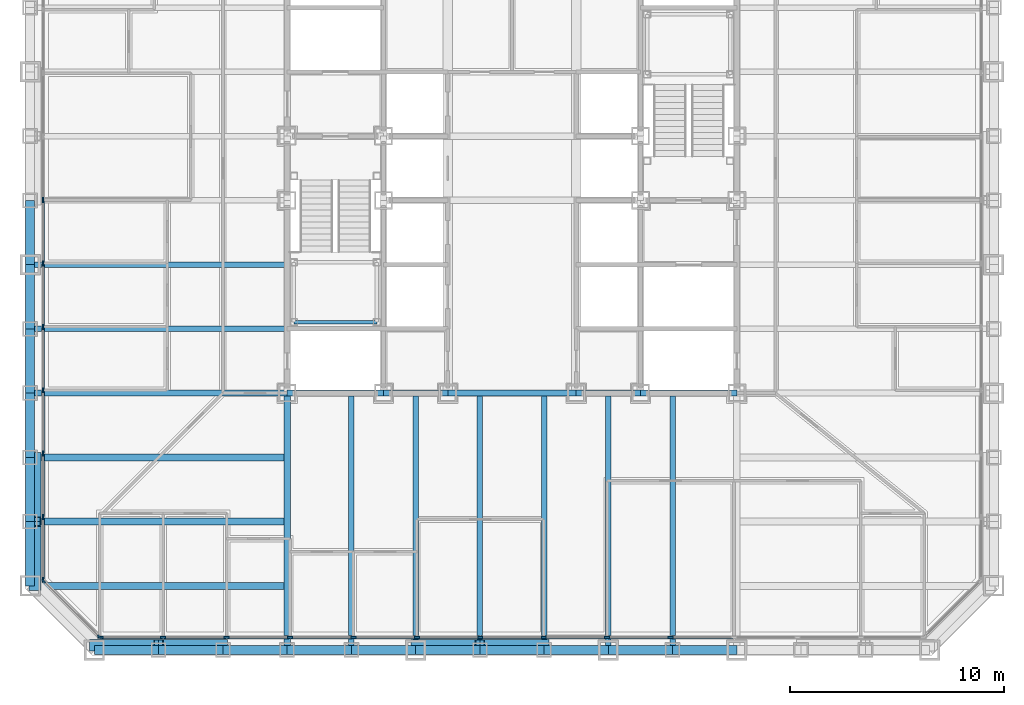
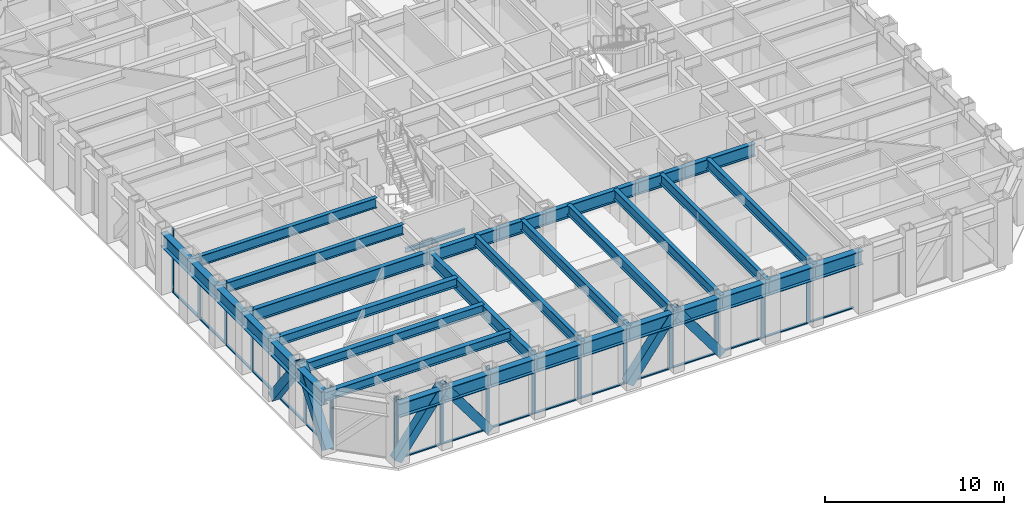
# One storey, part 2 of 17: 41 members, 35 beams, 3 elements without a shape of their own.
"""IFC4 building model written with IfcOpenShell, lengths in metres."""

import ifcopenshell
import ifcopenshell.guid

model = None  # the IFC model being written
_history = None  # IfcOwnerHistory: only IFC2X3 demands one
_inside = {}  # id of a spatial element -> (the spatial element, [elements in it])
_under = {}  # id of a project, library or spatial element -> (it, [spatial elements below it])
_declared = {}  # id of a project -> (the project, [libraries it declares])
_typed = {}  # id of a type object -> (the type object, [elements of that type])
_made_of = {}  # id of a material, layer set ... -> (it, [elements and type objects made of it])


def new_model(schema):
    """Start an empty IFC model of exactly this schema.

    Asked for "IFC4X3", IfcOpenShell would pick the latest addendum, in which some entities
    have other attributes; the version numbers below select the first issue.
    IFC2X3 requires an IfcOwnerHistory on every rooted entity: one is made here for all.
    """
    global model, _history
    if schema == "IFC4X3":
        model = ifcopenshell.file(schema_version=(4, 3, 0, 0))
    else:
        model = ifcopenshell.file(schema=schema)
    _inside.clear()
    _under.clear()
    _declared.clear()
    _typed.clear()
    _made_of.clear()
    _history = None
    if model.schema == "IFC2X3":
        org = make("IfcOrganization", Name="unknown")
        user = make(
            "IfcPersonAndOrganization",
            ThePerson=make("IfcPerson", FamilyName="unknown"),
            TheOrganization=org,
        )
        app = make(
            "IfcApplication",
            ApplicationDeveloper=org,
            Version="unknown",
            ApplicationFullName="unknown",
            ApplicationIdentifier="unknown",
        )
        _history = make(
            "IfcOwnerHistory",
            OwningUser=user,
            OwningApplication=app,
            ChangeAction="ADDED",
            CreationDate=0,
        )
    return model


def make(cls, **values):
    """One entity of the class cls with the attributes given. An attribute that is None is left unset."""
    return model.create_entity(
        cls, **{name: value for name, value in values.items() if value is not None}
    )


def rooted(cls, **values):
    """An entity with a GlobalId (a new one), such as an element, a storey or a relation."""
    return make(cls, GlobalId=ifcopenshell.guid.new(), OwnerHistory=_history, **values)


def si_unit(unit_type, name, prefix=None):
    """IfcSIUnit, for example si_unit("LENGTHUNIT", "METRE", prefix="MILLI")."""
    return make("IfcSIUnit", UnitType=unit_type, Prefix=prefix, Name=name)


def assignment(units):
    """IfcUnitAssignment: the units of a project."""
    return None if units is None else make("IfcUnitAssignment", Units=units)


def point(xyz):
    """IfcCartesianPoint."""
    return None if xyz is None else make("IfcCartesianPoint", Coordinates=xyz)


def direction(xyz):
    """IfcDirection."""
    return None if xyz is None else make("IfcDirection", DirectionRatios=xyz)


def frame(location, z_axis=None, x_axis=None):
    """IfcAxis2Placement3D, a coordinate frame: its origin and axes. An axis left out is left unset."""
    return make(
        "IfcAxis2Placement3D",
        Location=point(location),
        Axis=direction(z_axis),
        RefDirection=direction(x_axis),
    )


def frame_2d(location, x_axis=None):
    """IfcAxis2Placement2D, a coordinate frame in the plane: its origin and x axis."""
    return make(
        "IfcAxis2Placement2D", Location=point(location), RefDirection=direction(x_axis)
    )


def origin():
    """The frame at (0, 0, 0) with its axes left unset."""
    return frame((0.0, 0.0, 0.0))


def origin_2d():
    """The frame at (0, 0) in the plane with its x axis left unset."""
    return frame_2d((0.0, 0.0))


def place(relative_to, where):
    """IfcLocalPlacement: puts the frame where relative to a parent placement (None: the world)."""
    return make(
        "IfcLocalPlacement", PlacementRelTo=relative_to, RelativePlacement=where
    )


def context(
    kind, dimensions, precision=None, world=None, true_north=None, identifier=None
):
    """IfcGeometricRepresentationContext, for example the 3D "Model" context."""
    return make(
        "IfcGeometricRepresentationContext",
        ContextIdentifier=identifier,
        ContextType=kind,
        CoordinateSpaceDimension=dimensions,
        Precision=precision,
        WorldCoordinateSystem=world,
        TrueNorth=true_north,
    )


def subcontext(parent, identifier, kind, view, scale=None):
    """IfcGeometricRepresentationSubContext, for example "Body" below "Model"."""
    return make(
        "IfcGeometricRepresentationSubContext",
        ContextIdentifier=identifier,
        ContextType=kind,
        ParentContext=parent,
        TargetScale=scale,
        TargetView=view,
    )


def project(units=None, contexts=None):
    """IfcProject with its units and contexts."""
    return rooted(
        "IfcProject",
        Name="project",
        RepresentationContexts=contexts,
        UnitsInContext=assignment(units),
    )


def spatial(cls, under=None, at=None, **own):
    """A site, building, storey or space (cls), placed at a placement, below another one or the project."""
    s = rooted(cls, ObjectPlacement=at, **own)
    if under is not None:
        _under.setdefault(under.id(), (under, []))[1].append(s)
    return s


def profile(cls, at=None, kind="AREA", **sizes):
    """A parametric profile (cls). Its sizes go by their IFC names, for example OverallWidth=200.0."""
    return make(cls, ProfileType=kind, Position=at, **sizes)


def rectangle(**sizes):
    """IfcRectangleProfileDef."""
    return profile("IfcRectangleProfileDef", **sizes)


def hollow_rectangle(**sizes):
    """IfcRectangleHollowProfileDef."""
    return profile("IfcRectangleHollowProfileDef", **sizes)


def i_section(**sizes):
    """IfcIShapeProfileDef."""
    return profile("IfcIShapeProfileDef", **sizes)


def extrude(swept, where, along, depth):
    """IfcExtrudedAreaSolid: the profile swept, set in the frame where, extruded along a direction by depth."""
    return make(
        "IfcExtrudedAreaSolid",
        SweptArea=swept,
        Position=where,
        ExtrudedDirection=direction(along),
        Depth=depth,
    )


def shape(context_of_items, identifier, shape_type, items):
    """IfcShapeRepresentation: the items that make up one representation, for example the "Body"."""
    return make(
        "IfcShapeRepresentation",
        ContextOfItems=context_of_items,
        RepresentationIdentifier=identifier,
        RepresentationType=shape_type,
        Items=items,
    )


def material(Name=None, Category=None):
    """IfcMaterial."""
    return make("IfcMaterial", Name=Name, Category=Category)


def layer(
    of_material, thickness, ventilated=None, Name=None, Category=None, Priority=None
):
    """IfcMaterialLayer: one layer of a wall or slab, of a material (None: an air gap)."""
    return make(
        "IfcMaterialLayer",
        Material=of_material,
        LayerThickness=thickness,
        IsVentilated=ventilated,
        Name=Name,
        Category=Category,
        Priority=Priority,
    )


def layer_set(layers, Name=None):
    """IfcMaterialLayerSet."""
    return make("IfcMaterialLayerSet", MaterialLayers=layers, LayerSetName=Name)


def material_profile(
    of_material, cross_section, Name=None, Category=None, Priority=None
):
    """IfcMaterialProfile: a cross section and its material."""
    return make(
        "IfcMaterialProfile",
        Name=Name,
        Material=of_material,
        Profile=cross_section,
        Priority=Priority,
        Category=Category,
    )


def profile_set(profiles, Name=None, composite=None):
    """IfcMaterialProfileSet."""
    return make(
        "IfcMaterialProfileSet",
        Name=Name,
        MaterialProfiles=profiles,
        CompositeProfile=composite,
    )


def made_of(thing, what):
    """Note that an element or type object is made of a material, layer set ...; save() writes the relation."""
    if what is not None:
        _made_of.setdefault(what.id(), (what, []))[1].append(thing)
    return thing


def type_object(cls, material=None, **own):
    """A type object (cls), such as IfcWallType, which elements share."""
    return made_of(rooted(cls, **own), material)


def element(
    cls,
    number,
    at=None,
    inside=None,
    cuts=None,
    type_object=None,
    material=None,
    context=None,
    identifier="Body",
    shape_type=None,
    held_by="IfcProductDefinitionShape",
    body=None,
    shapes=None,
    **own,
):
    """One element of the class cls, such as IfcWall. Its Tag is "e" and its number.

    at: its placement. inside: the storey or other place that contains it. cuts: it is an
    opening in that element (IfcRelVoidsElement). A single representation is given by context,
    identifier, shape_type and body (its items); several are given by shapes. held_by: the class
    of the entity that holds the representations. save() writes the other relations.
    """
    e = rooted(cls, Tag="e%d" % number, ObjectPlacement=at, **own)
    if body is not None:
        shapes = [shape(context, identifier, shape_type, body)]
    if shapes is not None:
        e.Representation = make(held_by, Representations=shapes)
    if inside is not None:
        _inside.setdefault(inside.id(), (inside, []))[1].append(e)
    if cuts is not None:
        rooted(
            "IfcRelVoidsElement", RelatingBuildingElement=cuts, RelatedOpeningElement=e
        )
    if type_object is not None:
        _typed.setdefault(type_object.id(), (type_object, []))[1].append(e)
    return made_of(e, material)


def aggregate(whole, parts):
    """IfcRelAggregates: a whole, such as a stair, and the parts it consists of."""
    return rooted("IfcRelAggregates", RelatingObject=whole, RelatedObjects=parts)


def save(model, path):
    """Write the relations noted so far, then the file.

    IfcRelAggregates (storeys below a building ...), IfcRelContainedInSpatialStructure (elements
    in a storey), IfcRelDefinesByType, IfcRelAssociatesMaterial and IfcRelDeclares: one each for
    every whole, place, type object, material and project.
    """
    for whole, parts in _under.values():
        aggregate(whole, parts)
    for where, things in _inside.values():
        rooted(
            "IfcRelContainedInSpatialStructure",
            RelatedElements=things,
            RelatingStructure=where,
        )
    for kind, things in _typed.values():
        rooted("IfcRelDefinesByType", RelatedObjects=things, RelatingType=kind)
    for what, things in _made_of.values():
        rooted("IfcRelAssociatesMaterial", RelatedObjects=things, RelatingMaterial=what)
    for by, libraries in _declared.values():
        rooted("IfcRelDeclares", RelatingContext=by, RelatedDefinitions=libraries)
    model.write(path)


model = new_model("IFC4")

# Units and contexts
model_context = context("Model", 3, precision=1e-05, world=origin(), true_north=direction((0.0, 1.0)))
body_context = subcontext(model_context, "Body", "Model", "MODEL_VIEW")
ifc_project = project(units=[si_unit("LENGTHUNIT", "METRE"), si_unit("AREAUNIT", "SQUARE_METRE"), si_unit("VOLUMEUNIT", "CUBIC_METRE"), si_unit("PLANEANGLEUNIT", "RADIAN"), si_unit("MASSUNIT", "GRAM", prefix="KILO")], contexts=[model_context])

# Site, building, storey
site_placement = place(None, origin())
site = spatial("IfcSite", under=ifc_project, at=site_placement, CompositionType="ELEMENT")
building_placement = place(site_placement, origin())
building = spatial("IfcBuilding", under=site, at=building_placement, Name="Chuquiago Exchange Tower", CompositionType="ELEMENT")
storey_placement = place(building_placement, frame((0.0, 0.0, 37.800048828125)))
storey = spatial("IfcBuildingStorey", under=building, at=storey_placement, Name="L07", CompositionType="ELEMENT", Elevation=37.800048828125)

# Beams
ifc_material_1 = material(Name="Steel ASTM A992", Category="steel")
ifc_material_profile_1 = material_profile(ifc_material_1, i_section(OverallWidth=0.2919921875, OverallDepth=0.8583984375, WebThickness=0.01708984375, FlangeThickness=0.031005859375, at=origin_2d()), Name="W33X169")
ifc_profile_set_1 = profile_set([ifc_material_profile_1], Name="Steel ASTM A992")
beam_type_1 = type_object("IfcBeamType", Name="B3 W33X169", PredefinedType="BEAM", material=ifc_profile_set_1)
beam_1_placement = place(storey_placement, frame((12.0, 12.0, 3.610595703125), z_axis=(1.0, 0.0, 0.0), x_axis=(0.0, 1.0, 0.0)))
element("IfcBeam", 1, at=beam_1_placement, inside=storey, type_object=beam_type_1, Name="CB-L08-12_12-16.5_12", PredefinedType="BEAM", context=body_context, shape_type="SweptSolid", body=[
    extrude(i_section(OverallWidth=0.2919921875, OverallDepth=0.8583984375, WebThickness=0.01708984375, FlangeThickness=0.031005859375, at=origin_2d()), origin(), (0.0, 0.0, 1.0), 4.5),
])
beam_2_placement = place(storey_placement, frame((16.5, 12.0, 3.610595703125), z_axis=(1.0, 0.0, 0.0), x_axis=(0.0, 1.0, 0.0)))
element("IfcBeam", 2, at=beam_2_placement, inside=storey, type_object=beam_type_1, Name="CB-L08-16.5_12-19.5_12", PredefinedType="BEAM", context=body_context, shape_type="SweptSolid", body=[
    extrude(i_section(OverallWidth=0.2919921875, OverallDepth=0.8583984375, WebThickness=0.01708984375, FlangeThickness=0.031005859375, at=origin_2d()), origin(), (0.0, 0.0, 1.0), 3.0),
])
beam_3_placement = place(storey_placement, frame((19.5, 12.0, 3.610595703125), z_axis=(1.0, 0.0, 0.0), x_axis=(0.0, 1.0, 0.0)))
element("IfcBeam", 3, at=beam_3_placement, inside=storey, type_object=beam_type_1, Name="CB-L08-19.5_12-25.5_12", PredefinedType="BEAM", context=body_context, shape_type="SweptSolid", body=[
    extrude(i_section(OverallWidth=0.2919921875, OverallDepth=0.8583984375, WebThickness=0.01708984375, FlangeThickness=0.031005859375, at=origin_2d()), origin(), (0.0, 0.0, 1.0), 6.0),
])
beam_4_placement = place(storey_placement, frame((25.5, 12.0, 3.610595703125), z_axis=(1.0, 0.0, 0.0), x_axis=(0.0, 1.0, 0.0)))
element("IfcBeam", 4, at=beam_4_placement, inside=storey, type_object=beam_type_1, Name="CB-L08-25.5_12-28.5_12", PredefinedType="BEAM", context=body_context, shape_type="SweptSolid", body=[
    extrude(i_section(OverallWidth=0.2919921875, OverallDepth=0.8583984375, WebThickness=0.01708984375, FlangeThickness=0.031005859375, at=origin_2d()), origin(), (0.0, 0.0, 1.0), 3.0),
])
beam_5_placement = place(storey_placement, frame((28.5, 12.0, 3.610595703125), z_axis=(1.0, 0.0, 0.0), x_axis=(0.0, 1.0, 0.0)))
element("IfcBeam", 5, at=beam_5_placement, inside=storey, type_object=beam_type_1, Name="CB-L08-28.5_12-33_12", PredefinedType="BEAM", context=body_context, shape_type="SweptSolid", body=[
    extrude(i_section(OverallWidth=0.2919921875, OverallDepth=0.8583984375, WebThickness=0.01708984375, FlangeThickness=0.031005859375, at=origin_2d()), origin(), (0.0, 0.0, 1.0), 4.5),
])
ifc_material_2 = material(Name="Steel ASTM A992", Category="steel")
ifc_material_profile_2 = material_profile(ifc_material_2, i_section(OverallWidth=0.256591796875, OverallDepth=0.693359375, WebThickness=0.014404296875, FlangeThickness=0.023681640625, at=origin_2d()), Name="W27X114")
ifc_profile_set_2 = profile_set([ifc_material_profile_2], Name="Steel ASTM A992")
beam_type_2 = type_object("IfcBeamType", Name="B4 W27X114", PredefinedType="BEAM", material=ifc_profile_set_2)
for number, where, z_axis, x_axis, name in (
    (6, (15.0, 12.0, 3.693359375), (0.0, -1.0, 0.0), (1.0, 0.0, 0.0), "FB-L08-infill-15_12-15_-0-0"),
    (7, (18.0, 12.0, 3.693359375), (0.0, -1.0, 0.0), (1.0, 0.0, 0.0), "FB-L08-infill-18_12-18_-0-0"),
    (8, (21.0, 12.0, 3.693359375), (0.0, -1.0, 0.0), (1.0, 0.0, 0.0), "FB-L08-infill-21_12-21_-0-0"),
    (9, (24.0, 12.0, 3.693359375), (0.0, -1.0, 0.0), (1.0, 0.0, 0.0), "FB-L08-infill-24_12-24_-0-0"),
    (10, (27.0, 12.0, 3.693359375), (0.0, -1.0, 0.0), (1.0, 0.0, 0.0), "FB-L08-infill-27_12-27_-0-0"),
    (11, (30.0, 12.0, 3.693359375), (0.0, -1.0, 0.0), (1.0, 0.0, 0.0), "FB-L08-infill-30_12-30_-0-0"),
    (12, (12.0, 15.0, 3.693359375), (-1.0, 0.0, 0.0), (0.0, -1.0, 0.0), "FB-L08-infill-12_15--0_15-0"),
    (13, (12.0, 18.0, 3.693359375), (-1.0, 0.0, 0.0), (0.0, -1.0, 0.0), "FB-L08-infill-12_18--0_18-0"),
):
    element("IfcBeam", number, at=place(storey_placement, frame(where, z_axis=z_axis, x_axis=x_axis)), inside=storey, type_object=beam_type_2, Name=name, PredefinedType="BEAM", context=body_context, shape_type="SweptSolid", body=[
        extrude(i_section(OverallWidth=0.256591796875, OverallDepth=0.693359375, WebThickness=0.014404296875, FlangeThickness=0.023681640625, at=origin_2d()), origin(), (0.0, 0.0, 1.0), 12.0),
    ])
ifc_material_3 = material(Name="Steel ASTM A992", Category="steel")
ifc_material_profile_3 = material_profile(ifc_material_3, i_section(OverallWidth=0.3251953125, OverallDepth=0.6171875, WebThickness=0.013916015625, FlangeThickness=0.021484375, at=origin_2d()), Name="W24X117")
ifc_profile_set_3 = profile_set([ifc_material_profile_3], Name="Steel ASTM A992")
beam_type_3 = type_object("IfcBeamType", Name="B5 W24X117", PredefinedType="BEAM", material=ifc_profile_set_3)
for number, where, z_axis, x_axis, name in (
    (14, (12.0, 3.0, 3.7314453125), (-1.0, 0.0, 0.0), (0.0, -1.0, 0.0), "FB-L08-corner-12_3--0_3-0"),
    (15, (12.0, 6.0, 3.7314453125), (-1.0, 0.0, 0.0), (0.0, -1.0, 0.0), "FB-L08-corner-12_6--0_6-0"),
    (16, (12.0, 9.0, 3.7314453125), (-1.0, 0.0, 0.0), (0.0, -1.0, 0.0), "FB-L08-corner-12_9--0_9-0"),
):
    element("IfcBeam", number, at=place(storey_placement, frame(where, z_axis=z_axis, x_axis=x_axis)), inside=storey, type_object=beam_type_3, Name=name, PredefinedType="BEAM", context=body_context, shape_type="SweptSolid", body=[
        extrude(i_section(OverallWidth=0.3251953125, OverallDepth=0.6171875, WebThickness=0.013916015625, FlangeThickness=0.021484375, at=origin_2d()), origin(), (0.0, 0.0, 1.0), 12.0),
    ])

# Curtain wall, members
ifc_material_4 = material(Name="Aluminium curtain wall system", Category="aluminium")
ifc_layer_1 = layer(ifc_material_4, 0.25)
ifc_layer_set_1 = layer_set([ifc_layer_1], Name="CW1 trading floor curtain wall")
curtain_wall_type_1 = type_object("IfcCurtainWallType", Name="CW1 trading floor curtain wall", PredefinedType="NOTDEFINED", material=ifc_layer_set_1)
curtain_wall_1_placement = place(storey_placement, origin())
curtain_wall_1 = element("IfcCurtainWall", 17, at=curtain_wall_1_placement, inside=storey, type_object=curtain_wall_type_1, Name="CW1 curtain wall L07", PredefinedType="NOTDEFINED")
ifc_material_5 = material(Name="Aluminium mullion, pale anodised", Category="aluminium")
ifc_material_profile_4 = material_profile(ifc_material_5, rectangle(XDim=0.074951171875, YDim=0.25, at=origin_2d()), Name="AL 75x250")
ifc_profile_set_4 = profile_set([ifc_material_profile_4], Name="Aluminium mullion, pale anodised")
member_type_1 = type_object("IfcMemberType", Name="CW1-M mullion 75x250", PredefinedType="MULLION", material=ifc_profile_set_4)
member_1_placement = place(storey_placement, frame((3.285888671875, 0.60009765625, -0.300048828125), z_axis=(0.0, 0.0, 1.0), x_axis=(0.0, 1.0, 0.0)))
member_1 = element("IfcMember", 18, at=member_1_placement, type_object=member_type_1, Name="CW1 mullion 1", PredefinedType="MULLION", context=body_context, shape_type="SweptSolid", body=[
    extrude(rectangle(XDim=0.074951171875, YDim=0.25, at=origin_2d()), origin(), (0.0, 0.0, 1.0), 4.340087890625),
])
member_2_placement = place(storey_placement, frame((6.210205078125, 0.60009765625, -0.300048828125), z_axis=(0.0, 0.0, 1.0), x_axis=(0.0, 1.0, 0.0)))
member_2 = element("IfcMember", 19, at=member_2_placement, type_object=member_type_1, Name="CW1 mullion 2", PredefinedType="MULLION", context=body_context, shape_type="SweptSolid", body=[
    extrude(rectangle(XDim=0.074951171875, YDim=0.25, at=origin_2d()), origin(), (0.0, 0.0, 1.0), 4.340087890625),
])
member_3_placement = place(storey_placement, frame((9.172119140625, 0.60009765625, -0.300048828125), z_axis=(0.0, 0.0, 1.0), x_axis=(0.0, 1.0, 0.0)))
member_3 = element("IfcMember", 20, at=member_3_placement, type_object=member_type_1, Name="CW1 mullion 3", PredefinedType="MULLION", context=body_context, shape_type="SweptSolid", body=[
    extrude(rectangle(XDim=0.074951171875, YDim=0.25, at=origin_2d()), origin(), (0.0, 0.0, 1.0), 4.340087890625),
])
member_4_placement = place(storey_placement, frame((12.1337890625, 0.60009765625, -0.300048828125), z_axis=(0.0, 0.0, 1.0), x_axis=(0.0, 1.0, 0.0)))
member_4 = element("IfcMember", 21, at=member_4_placement, type_object=member_type_1, Name="CW1 mullion 4", PredefinedType="MULLION", context=body_context, shape_type="SweptSolid", body=[
    extrude(rectangle(XDim=0.074951171875, YDim=0.25, at=origin_2d()), origin(), (0.0, 0.0, 1.0), 4.340087890625),
])
member_5_placement = place(storey_placement, frame((15.095458984375, 0.60009765625, -0.300048828125), z_axis=(0.0, 0.0, 1.0), x_axis=(0.0, 1.0, 0.0)))
member_5 = element("IfcMember", 22, at=member_5_placement, type_object=member_type_1, Name="CW1 mullion 5", PredefinedType="MULLION", context=body_context, shape_type="SweptSolid", body=[
    extrude(rectangle(XDim=0.074951171875, YDim=0.25, at=origin_2d()), origin(), (0.0, 0.0, 1.0), 4.340087890625),
])
member_6_placement = place(storey_placement, frame((18.057373046875, 0.60009765625, -0.300048828125), z_axis=(0.0, 0.0, 1.0), x_axis=(0.0, 1.0, 0.0)))
member_6 = element("IfcMember", 23, at=member_6_placement, type_object=member_type_1, Name="CW1 mullion 6", PredefinedType="MULLION", context=body_context, shape_type="SweptSolid", body=[
    extrude(rectangle(XDim=0.074951171875, YDim=0.25, at=origin_2d()), origin(), (0.0, 0.0, 1.0), 4.340087890625),
])
member_7_placement = place(storey_placement, frame((21.01904296875, 0.60009765625, -0.300048828125), z_axis=(0.0, 0.0, 1.0), x_axis=(0.0, 1.0, 0.0)))
member_7 = element("IfcMember", 24, at=member_7_placement, type_object=member_type_1, Name="CW1 mullion 7", PredefinedType="MULLION", context=body_context, shape_type="SweptSolid", body=[
    extrude(rectangle(XDim=0.074951171875, YDim=0.25, at=origin_2d()), origin(), (0.0, 0.0, 1.0), 4.340087890625),
])
member_8_placement = place(storey_placement, frame((23.98095703125, 0.60009765625, -0.300048828125), z_axis=(0.0, 0.0, 1.0), x_axis=(0.0, 1.0, 0.0)))
member_8 = element("IfcMember", 25, at=member_8_placement, type_object=member_type_1, Name="CW1 mullion 8", PredefinedType="MULLION", context=body_context, shape_type="SweptSolid", body=[
    extrude(rectangle(XDim=0.074951171875, YDim=0.25, at=origin_2d()), origin(), (0.0, 0.0, 1.0), 4.340087890625),
])
member_9_placement = place(storey_placement, frame((26.942626953125, 0.60009765625, -0.300048828125), z_axis=(0.0, 0.0, 1.0), x_axis=(0.0, 1.0, 0.0)))
member_9 = element("IfcMember", 26, at=member_9_placement, type_object=member_type_1, Name="CW1 mullion 9", PredefinedType="MULLION", context=body_context, shape_type="SweptSolid", body=[
    extrude(rectangle(XDim=0.074951171875, YDim=0.25, at=origin_2d()), origin(), (0.0, 0.0, 1.0), 4.340087890625),
])
member_10_placement = place(storey_placement, frame((29.904541015625, 0.60009765625, -0.300048828125), z_axis=(0.0, 0.0, 1.0), x_axis=(0.0, 1.0, 0.0)))
member_10 = element("IfcMember", 27, at=member_10_placement, type_object=member_type_1, Name="CW1 mullion 10", PredefinedType="MULLION", context=body_context, shape_type="SweptSolid", body=[
    extrude(rectangle(XDim=0.074951171875, YDim=0.25, at=origin_2d()), origin(), (0.0, 0.0, 1.0), 4.340087890625),
])

curtain_wall_2_placement = place(storey_placement, origin())
curtain_wall_2 = element("IfcCurtainWall", 28, at=curtain_wall_2_placement, inside=storey, type_object=curtain_wall_type_1, Name="CW1 curtain wall L07", PredefinedType="NOTDEFINED")
member_11_placement = place(storey_placement, frame((0.60009765625, 21.01904296875, -0.300048828125), z_axis=(0.0, 0.0, 1.0), x_axis=(1.0, 0.0, 0.0)))
member_11 = element("IfcMember", 29, at=member_11_placement, type_object=member_type_1, Name="CW1 mullion 8", PredefinedType="MULLION", context=body_context, shape_type="SweptSolid", body=[
    extrude(rectangle(XDim=0.074951171875, YDim=0.25, at=origin_2d()), origin(), (0.0, 0.0, 1.0), 4.340087890625),
])
member_12_placement = place(storey_placement, frame((0.60009765625, 18.057373046875, -0.300048828125), z_axis=(0.0, 0.0, 1.0), x_axis=(1.0, 0.0, 0.0)))
member_12 = element("IfcMember", 30, at=member_12_placement, type_object=member_type_1, Name="CW1 mullion 9", PredefinedType="MULLION", context=body_context, shape_type="SweptSolid", body=[
    extrude(rectangle(XDim=0.074951171875, YDim=0.25, at=origin_2d()), origin(), (0.0, 0.0, 1.0), 4.340087890625),
])
member_13_placement = place(storey_placement, frame((0.60009765625, 15.095458984375, -0.300048828125), z_axis=(0.0, 0.0, 1.0), x_axis=(1.0, 0.0, 0.0)))
member_13 = element("IfcMember", 31, at=member_13_placement, type_object=member_type_1, Name="CW1 mullion 10", PredefinedType="MULLION", context=body_context, shape_type="SweptSolid", body=[
    extrude(rectangle(XDim=0.074951171875, YDim=0.25, at=origin_2d()), origin(), (0.0, 0.0, 1.0), 4.340087890625),
])
member_14_placement = place(storey_placement, frame((0.60009765625, 12.1337890625, -0.300048828125), z_axis=(0.0, 0.0, 1.0), x_axis=(1.0, 0.0, 0.0)))
member_14 = element("IfcMember", 32, at=member_14_placement, type_object=member_type_1, Name="CW1 mullion 11", PredefinedType="MULLION", context=body_context, shape_type="SweptSolid", body=[
    extrude(rectangle(XDim=0.074951171875, YDim=0.25, at=origin_2d()), origin(), (0.0, 0.0, 1.0), 4.340087890625),
])
member_15_placement = place(storey_placement, frame((0.60009765625, 9.172119140625, -0.300048828125), z_axis=(0.0, 0.0, 1.0), x_axis=(1.0, 0.0, 0.0)))
member_15 = element("IfcMember", 33, at=member_15_placement, type_object=member_type_1, Name="CW1 mullion 12", PredefinedType="MULLION", context=body_context, shape_type="SweptSolid", body=[
    extrude(rectangle(XDim=0.074951171875, YDim=0.25, at=origin_2d()), origin(), (0.0, 0.0, 1.0), 4.340087890625),
])
member_16_placement = place(storey_placement, frame((0.60009765625, 6.210205078125, -0.300048828125), z_axis=(0.0, 0.0, 1.0), x_axis=(1.0, 0.0, 0.0)))
member_16 = element("IfcMember", 34, at=member_16_placement, type_object=member_type_1, Name="CW1 mullion 13", PredefinedType="MULLION", context=body_context, shape_type="SweptSolid", body=[
    extrude(rectangle(XDim=0.074951171875, YDim=0.25, at=origin_2d()), origin(), (0.0, 0.0, 1.0), 4.340087890625),
])
member_17_placement = place(storey_placement, frame((0.60009765625, 3.285888671875, -0.300048828125), z_axis=(0.0, 0.0, 1.0), x_axis=(1.0, 0.0, 0.0)))
member_17 = element("IfcMember", 35, at=member_17_placement, type_object=member_type_1, Name="CW1 mullion 14", PredefinedType="MULLION", context=body_context, shape_type="SweptSolid", body=[
    extrude(rectangle(XDim=0.074951171875, YDim=0.25, at=origin_2d()), origin(), (0.0, 0.0, 1.0), 4.340087890625),
])

# Member
ifc_material_6 = material(Name="Aluminium transom, pale anodised", Category="aluminium")
ifc_material_profile_5 = material_profile(ifc_material_6, rectangle(XDim=0.14990234375, YDim=0.074951171875, at=origin_2d()), Name="AL 150x75")
ifc_profile_set_5 = profile_set([ifc_material_profile_5], Name="Aluminium transom, pale anodised")
member_type_2 = type_object("IfcMemberType", Name="CW1-T transom 75x150", PredefinedType="MULLION", material=ifc_profile_set_5)
member_18_placement = place(storey_placement, frame((3.323486328125, 0.60009765625, -0.262451171875), z_axis=(1.0, 0.0, 0.0), x_axis=(0.0, 1.0, 0.0)))
member_18 = element("IfcMember", 36, at=member_18_placement, type_object=member_type_2, Name="CW1 transom 1.1", PredefinedType="MULLION", context=body_context, shape_type="SweptSolid", body=[
    extrude(rectangle(XDim=0.14990234375, YDim=0.074951171875, at=origin_2d()), origin(), (0.0, 0.0, 1.0), 2.849365234375),
])

member_19_placement = place(storey_placement, frame((6.247802734375, 0.60009765625, -0.262451171875), z_axis=(1.0, 0.0, 0.0), x_axis=(0.0, 1.0, 0.0)))
member_19 = element("IfcMember", 37, at=member_19_placement, type_object=member_type_2, Name="CW1 transom 2.1", PredefinedType="MULLION", context=body_context, shape_type="SweptSolid", body=[
    extrude(rectangle(XDim=0.14990234375, YDim=0.074951171875, at=origin_2d()), origin(), (0.0, 0.0, 1.0), 2.88671875),
])

member_20_placement = place(storey_placement, frame((9.20947265625, 0.60009765625, -0.262451171875), z_axis=(1.0, 0.0, 0.0), x_axis=(0.0, 1.0, 0.0)))
member_20 = element("IfcMember", 38, at=member_20_placement, type_object=member_type_2, Name="CW1 transom 3.1", PredefinedType="MULLION", context=body_context, shape_type="SweptSolid", body=[
    extrude(rectangle(XDim=0.14990234375, YDim=0.074951171875, at=origin_2d()), origin(), (0.0, 0.0, 1.0), 2.88671875),
])

member_21_placement = place(storey_placement, frame((12.17138671875, 0.60009765625, -0.262451171875), z_axis=(1.0, 0.0, 0.0), x_axis=(0.0, 1.0, 0.0)))
member_21 = element("IfcMember", 39, at=member_21_placement, type_object=member_type_2, Name="CW1 transom 4.1", PredefinedType="MULLION", context=body_context, shape_type="SweptSolid", body=[
    extrude(rectangle(XDim=0.14990234375, YDim=0.074951171875, at=origin_2d()), origin(), (0.0, 0.0, 1.0), 2.88671875),
])

member_22_placement = place(storey_placement, frame((15.133056640625, 0.60009765625, -0.262451171875), z_axis=(1.0, 0.0, 0.0), x_axis=(0.0, 1.0, 0.0)))
member_22 = element("IfcMember", 40, at=member_22_placement, type_object=member_type_2, Name="CW1 transom 5.1", PredefinedType="MULLION", context=body_context, shape_type="SweptSolid", body=[
    extrude(rectangle(XDim=0.14990234375, YDim=0.074951171875, at=origin_2d()), origin(), (0.0, 0.0, 1.0), 2.88671875),
])

member_23_placement = place(storey_placement, frame((18.0947265625, 0.60009765625, -0.262451171875), z_axis=(1.0, 0.0, 0.0), x_axis=(0.0, 1.0, 0.0)))
member_23 = element("IfcMember", 41, at=member_23_placement, type_object=member_type_2, Name="CW1 transom 6.1", PredefinedType="MULLION", context=body_context, shape_type="SweptSolid", body=[
    extrude(rectangle(XDim=0.14990234375, YDim=0.074951171875, at=origin_2d()), origin(), (0.0, 0.0, 1.0), 2.886962890625),
])

member_24_placement = place(storey_placement, frame((21.056640625, 0.60009765625, -0.262451171875), z_axis=(1.0, 0.0, 0.0), x_axis=(0.0, 1.0, 0.0)))
member_24 = element("IfcMember", 42, at=member_24_placement, type_object=member_type_2, Name="CW1 transom 7.1", PredefinedType="MULLION", context=body_context, shape_type="SweptSolid", body=[
    extrude(rectangle(XDim=0.14990234375, YDim=0.074951171875, at=origin_2d()), origin(), (0.0, 0.0, 1.0), 2.88671875),
])

member_25_placement = place(storey_placement, frame((24.018310546875, 0.60009765625, -0.262451171875), z_axis=(1.0, 0.0, 0.0), x_axis=(0.0, 1.0, 0.0)))
member_25 = element("IfcMember", 43, at=member_25_placement, type_object=member_type_2, Name="CW1 transom 8.1", PredefinedType="MULLION", context=body_context, shape_type="SweptSolid", body=[
    extrude(rectangle(XDim=0.14990234375, YDim=0.074951171875, at=origin_2d()), origin(), (0.0, 0.0, 1.0), 2.886962890625),
])

member_26_placement = place(storey_placement, frame((26.980224609375, 0.60009765625, -0.262451171875), z_axis=(1.0, 0.0, 0.0), x_axis=(0.0, 1.0, 0.0)))
member_26 = element("IfcMember", 44, at=member_26_placement, type_object=member_type_2, Name="CW1 transom 9.1", PredefinedType="MULLION", context=body_context, shape_type="SweptSolid", body=[
    extrude(rectangle(XDim=0.14990234375, YDim=0.074951171875, at=origin_2d()), origin(), (0.0, 0.0, 1.0), 2.88671875),
])

member_27_placement = place(storey_placement, frame((29.94189453125, 0.60009765625, -0.262451171875), z_axis=(1.0, 0.0, 0.0), x_axis=(0.0, 1.0, 0.0)))
member_27 = element("IfcMember", 45, at=member_27_placement, type_object=member_type_2, Name="CW1 transom 10.1", PredefinedType="MULLION", context=body_context, shape_type="SweptSolid", body=[
    extrude(rectangle(XDim=0.14990234375, YDim=0.074951171875, at=origin_2d()), origin(), (0.0, 0.0, 1.0), 2.88671875),
])

aggregate(curtain_wall_1, [member_1, member_2, member_3, member_4, member_5, member_6, member_7, member_8, member_9, member_10, member_18, member_19, member_20, member_21, member_22, member_23, member_24, member_25, member_26, member_27])

member_28_placement = place(storey_placement, frame((0.60009765625, 20.981689453125, -0.262451171875), z_axis=(0.0, -1.0, 0.0), x_axis=(1.0, 0.0, 0.0)))
member_28 = element("IfcMember", 46, at=member_28_placement, type_object=member_type_2, Name="CW1 transom 8.1", PredefinedType="MULLION", context=body_context, shape_type="SweptSolid", body=[
    extrude(rectangle(XDim=0.14990234375, YDim=0.074951171875, at=origin_2d()), origin(), (0.0, 0.0, 1.0), 2.886962890625),
])

member_29_placement = place(storey_placement, frame((0.60009765625, 18.019775390625, -0.262451171875), z_axis=(0.0, -1.0, 0.0), x_axis=(1.0, 0.0, 0.0)))
member_29 = element("IfcMember", 47, at=member_29_placement, type_object=member_type_2, Name="CW1 transom 9.1", PredefinedType="MULLION", context=body_context, shape_type="SweptSolid", body=[
    extrude(rectangle(XDim=0.14990234375, YDim=0.074951171875, at=origin_2d()), origin(), (0.0, 0.0, 1.0), 2.88671875),
])

member_30_placement = place(storey_placement, frame((0.60009765625, 15.05810546875, -0.262451171875), z_axis=(0.0, -1.0, 0.0), x_axis=(1.0, 0.0, 0.0)))
member_30 = element("IfcMember", 48, at=member_30_placement, type_object=member_type_2, Name="CW1 transom 10.1", PredefinedType="MULLION", context=body_context, shape_type="SweptSolid", body=[
    extrude(rectangle(XDim=0.14990234375, YDim=0.074951171875, at=origin_2d()), origin(), (0.0, 0.0, 1.0), 2.88671875),
])

member_31_placement = place(storey_placement, frame((0.60009765625, 12.09619140625, -0.262451171875), z_axis=(0.0, -1.0, 0.0), x_axis=(1.0, 0.0, 0.0)))
member_31 = element("IfcMember", 49, at=member_31_placement, type_object=member_type_2, Name="CW1 transom 11.1", PredefinedType="MULLION", context=body_context, shape_type="SweptSolid", body=[
    extrude(rectangle(XDim=0.14990234375, YDim=0.074951171875, at=origin_2d()), origin(), (0.0, 0.0, 1.0), 2.88671875),
])

member_32_placement = place(storey_placement, frame((0.60009765625, 9.134521484375, -0.262451171875), z_axis=(0.0, -1.0, 0.0), x_axis=(1.0, 0.0, 0.0)))
member_32 = element("IfcMember", 50, at=member_32_placement, type_object=member_type_2, Name="CW1 transom 12.1", PredefinedType="MULLION", context=body_context, shape_type="SweptSolid", body=[
    extrude(rectangle(XDim=0.14990234375, YDim=0.074951171875, at=origin_2d()), origin(), (0.0, 0.0, 1.0), 2.88671875),
])

member_33_placement = place(storey_placement, frame((0.60009765625, 6.1728515625, -0.262451171875), z_axis=(0.0, -1.0, 0.0), x_axis=(1.0, 0.0, 0.0)))
member_33 = element("IfcMember", 51, at=member_33_placement, type_object=member_type_2, Name="CW1 transom 13.1", PredefinedType="MULLION", context=body_context, shape_type="SweptSolid", body=[
    extrude(rectangle(XDim=0.14990234375, YDim=0.074951171875, at=origin_2d()), origin(), (0.0, 0.0, 1.0), 2.849365234375),
])

aggregate(curtain_wall_2, [member_11, member_12, member_13, member_14, member_15, member_16, member_17, member_28, member_29, member_30, member_31, member_32, member_33])

# Curtain wall, members
ifc_material_7 = material(Name="Aluminium curtain wall system", Category="aluminium")
ifc_layer_2 = layer(ifc_material_7, 0.199951171875)
ifc_layer_set_2 = layer_set([ifc_layer_2], Name="CW3 facet curtain wall")
curtain_wall_type_2 = type_object("IfcCurtainWallType", Name="CW3 facet curtain wall", PredefinedType="NOTDEFINED", material=ifc_layer_set_2)
curtain_wall_3_placement = place(storey_placement, origin())
curtain_wall_3 = element("IfcCurtainWall", 52, at=curtain_wall_3_placement, inside=storey, type_object=curtain_wall_type_2, Name="CW3 curtain wall L07", PredefinedType="NOTDEFINED")
ifc_material_8 = material(Name="Aluminium mullion, pale anodised", Category="aluminium")
ifc_material_profile_6 = material_profile(ifc_material_8, rectangle(XDim=0.06494140625, YDim=0.199951171875, at=origin_2d()), Name="AL 65x200")
ifc_profile_set_6 = profile_set([ifc_material_profile_6], Name="Aluminium mullion, pale anodised")
member_type_3 = type_object("IfcMemberType", Name="CW3-M mullion 65x200", PredefinedType="MULLION", material=ifc_profile_set_6)
member_34_placement = place(storey_placement, frame((0.623046875, 3.2255859375, -0.300048828125), z_axis=(0.0, 0.0, 1.0), x_axis=(0.707106781187, 0.707106781187, 0.0)))
member_34 = element("IfcMember", 53, at=member_34_placement, type_object=member_type_3, Name="CW3 mullion 1", PredefinedType="MULLION", context=body_context, shape_type="SweptSolid", body=[
    extrude(rectangle(XDim=0.06494140625, YDim=0.199951171875, at=origin_2d()), origin(), (0.0, 0.0, 1.0), 4.340087890625),
])
member_35_placement = place(storey_placement, frame((3.2255859375, 0.623046875, -0.300048828125), z_axis=(0.0, 0.0, 1.0), x_axis=(0.707106781187, 0.707106781187, 0.0)))
member_35 = element("IfcMember", 54, at=member_35_placement, type_object=member_type_3, Name="CW3 mullion 2", PredefinedType="MULLION", context=body_context, shape_type="SweptSolid", body=[
    extrude(rectangle(XDim=0.06494140625, YDim=0.199951171875, at=origin_2d()), origin(), (0.0, 0.0, 1.0), 4.340087890625),
])
aggregate(curtain_wall_3, [member_34, member_35])

# Beams
ifc_material_9 = material(Name="Steel ASTM A992", Category="steel")
ifc_material_profile_7 = material_profile(ifc_material_9, i_section(OverallWidth=0.2919921875, OverallDepth=0.8583984375, WebThickness=0.01708984375, FlangeThickness=0.031005859375, at=origin_2d()), Name="W33X169")
ifc_profile_set_7 = profile_set([ifc_material_profile_7], Name="Steel ASTM A992")
beam_type_4 = type_object("IfcBeamType", Name="G2 W33X169", PredefinedType="BEAM", material=ifc_profile_set_7)
for number, where, z_axis, x_axis, name in (
    (55, (12.0, 12.0, 3.610595703125), (0.0, -1.0, 0.0), (1.0, 0.0, 0.0), "FB-L08-girder-12_12-12_-0-0"),
    (56, (12.0, 12.0, 3.610595703125), (-1.0, 0.0, 0.0), (0.0, -1.0, 0.0), "FB-L08-girder-12_12--0_12-0"),
):
    element("IfcBeam", number, at=place(storey_placement, frame(where, z_axis=z_axis, x_axis=x_axis)), inside=storey, type_object=beam_type_4, Name=name, PredefinedType="BEAM", context=body_context, shape_type="SweptSolid", body=[
        extrude(i_section(OverallWidth=0.2919921875, OverallDepth=0.8583984375, WebThickness=0.01708984375, FlangeThickness=0.031005859375, at=origin_2d()), origin(), (0.0, 0.0, 1.0), 12.0),
    ])
ifc_material_10 = material(Name="Steel ASTM A992", Category="steel")
ifc_material_profile_8 = material_profile(ifc_material_10, i_section(OverallWidth=0.164794921875, OverallDepth=0.309814453125, WebThickness=0.005859375, FlangeThickness=0.009765625, at=origin_2d()), Name="W12X26")
ifc_profile_set_8 = profile_set([ifc_material_profile_8], Name="Steel ASTM A992")
beam_type_5 = type_object("IfcBeamType", Name="LT1 W12X26", PredefinedType="BEAM", material=ifc_profile_set_8)
beam_6_placement = place(storey_placement, frame((12.31005859375, 15.31005859375, 1.89501953125), z_axis=(1.0, 0.0, 0.0), x_axis=(0.0, 1.0, 0.0)))
element("IfcBeam", 57, at=beam_6_placement, inside=storey, type_object=beam_type_5, Name="Stair ST1 L07 landing 1 trimmer", PredefinedType="BEAM", context=body_context, shape_type="SweptSolid", body=[
    extrude(i_section(OverallWidth=0.164794921875, OverallDepth=0.309814453125, WebThickness=0.005859375, FlangeThickness=0.009765625, at=origin_2d()), origin(), (0.0, 0.0, 1.0), 3.8798828125),
])

# Members
ifc_material_11 = material(Name="Steel ASTM A572 Grade 50", Category="steel")
ifc_material_profile_9 = material_profile(ifc_material_11, hollow_rectangle(XDim=0.550048828125, YDim=0.550048828125, WallThickness=0.044921875, at=origin_2d()), Name="BOX550X550X45")
ifc_profile_set_9 = profile_set([ifc_material_profile_9], Name="Steel ASTM A572 Grade 50")
member_type_4 = type_object("IfcMemberType", Name="MB1 BOX550X550X45", PredefinedType="BRACE", material=ifc_profile_set_9)
for number, where, z_axis, x_axis, name in (
    (58, (3.0, 0.22998046875, 0.0), (0.596173923302, 0.0, 0.802855312728), (0.0, 1.0, 0.0), "Mega diagonal L07 S face"),
    (59, (9.0, 0.22998046875, 0.0), (-0.596173923302, 0.0, 0.802855312728), (0.0, -1.0, 0.0), "Mega diagonal L07 S face"),
    (60, (18.0, 0.22998046875, 0.0), (0.596173923302, 0.0, 0.802855312728), (0.0, 1.0, 0.0), "Mega diagonal L07 S face"),
    (61, (24.0, 0.22998046875, 0.0), (-0.596173923302, 0.0, 0.802855312728), (0.0, -1.0, 0.0), "Mega diagonal L07 S face"),
    (62, (0.22998046875, 9.0, 0.0), (0.0, -0.596173923302, 0.802855312728), (1.0, 0.0, 0.0), "Mega diagonal L07 W face"),
    (63, (0.22998046875, 3.0, 0.0), (0.0, 0.596173923302, 0.802855312728), (-1.0, 0.0, 0.0), "Mega diagonal L07 W face"),
):
    element("IfcMember", number, at=place(storey_placement, frame(where, z_axis=z_axis, x_axis=x_axis)), inside=storey, type_object=member_type_4, Name=name, PredefinedType="BRACE", context=body_context, shape_type="SweptSolid", body=[
        extrude(hollow_rectangle(XDim=0.550048828125, YDim=0.550048828125, WallThickness=0.044921875, at=origin_2d()), origin(), (0.0, 0.0, 1.0), 5.031982421875),
    ])

# Beams
ifc_material_12 = material(Name="Steel ASTM A992", Category="steel")
ifc_material_profile_10 = material_profile(ifc_material_12, i_section(OverallWidth=0.424072265625, OverallDepth=0.947509765625, WebThickness=0.02392578125, FlangeThickness=0.042724609375, at=origin_2d()), Name="W36X302")
ifc_profile_set_10 = profile_set([ifc_material_profile_10], Name="Steel ASTM A992")
beam_type_6 = type_object("IfcBeamType", Name="SP1 W36X302", PredefinedType="SPANDREL", material=ifc_profile_set_10)
for number, where, z_axis, x_axis, name in (
    (64, (3.0, 0.0, 3.566162109375), (1.0, 0.0, 0.0), (0.0, 1.0, 0.0), "SPB-L08-3_0-6_0"),
    (65, (6.0, 0.0, 3.566162109375), (1.0, 0.0, 0.0), (0.0, 1.0, 0.0), "SPB-L08-6_0-9_0"),
    (66, (9.0, 0.0, 3.566162109375), (1.0, 0.0, 0.0), (0.0, 1.0, 0.0), "SPB-L08-9_0-12_0"),
    (67, (12.0, 0.0, 3.566162109375), (1.0, 0.0, 0.0), (0.0, 1.0, 0.0), "SPB-L08-12_0-15_0"),
    (68, (15.0, 0.0, 3.566162109375), (1.0, 0.0, 0.0), (0.0, 1.0, 0.0), "SPB-L08-15_0-18_0"),
    (69, (18.0, 0.0, 3.566162109375), (1.0, 0.0, 0.0), (0.0, 1.0, 0.0), "SPB-L08-18_0-21_0"),
    (70, (21.0, 0.0, 3.566162109375), (1.0, 0.0, 0.0), (0.0, 1.0, 0.0), "SPB-L08-21_0-24_0"),
    (71, (24.0, 0.0, 3.566162109375), (1.0, 0.0, 0.0), (0.0, 1.0, 0.0), "SPB-L08-24_0-27_0"),
    (72, (27.0, 0.0, 3.566162109375), (1.0, 0.0, 0.0), (0.0, 1.0, 0.0), "SPB-L08-27_0-30_0"),
    (73, (30.0, 0.0, 3.566162109375), (1.0, 0.0, 0.0), (0.0, 1.0, 0.0), "SPB-L08-30_0-33_0"),
    (74, (0.0, 21.0, 3.566162109375), (0.0, -1.0, 0.0), (1.0, 0.0, 0.0), "SPB-L08-0_21-0_18"),
    (75, (0.0, 18.0, 3.566162109375), (0.0, -1.0, 0.0), (1.0, 0.0, 0.0), "SPB-L08-0_18-0_15"),
    (76, (0.0, 15.0, 3.566162109375), (0.0, -1.0, 0.0), (1.0, 0.0, 0.0), "SPB-L08-0_15-0_12"),
    (77, (0.0, 12.0, 3.566162109375), (0.0, -1.0, 0.0), (1.0, 0.0, 0.0), "SPB-L08-0_12-0_9"),
    (78, (0.0, 9.0, 3.566162109375), (0.0, -1.0, 0.0), (1.0, 0.0, 0.0), "SPB-L08-0_9-0_6"),
    (79, (0.0, 6.0, 3.566162109375), (0.0, -1.0, 0.0), (1.0, 0.0, 0.0), "SPB-L08-0_6-0_3"),
):
    element("IfcBeam", number, at=place(storey_placement, frame(where, z_axis=z_axis, x_axis=x_axis)), inside=storey, type_object=beam_type_6, Name=name, PredefinedType="SPANDREL", context=body_context, shape_type="SweptSolid", body=[
        extrude(i_section(OverallWidth=0.424072265625, OverallDepth=0.947509765625, WebThickness=0.02392578125, FlangeThickness=0.042724609375, at=origin_2d()), origin(), (0.0, 0.0, 1.0), 3.0),
    ])

save(model, "model.ifc")
